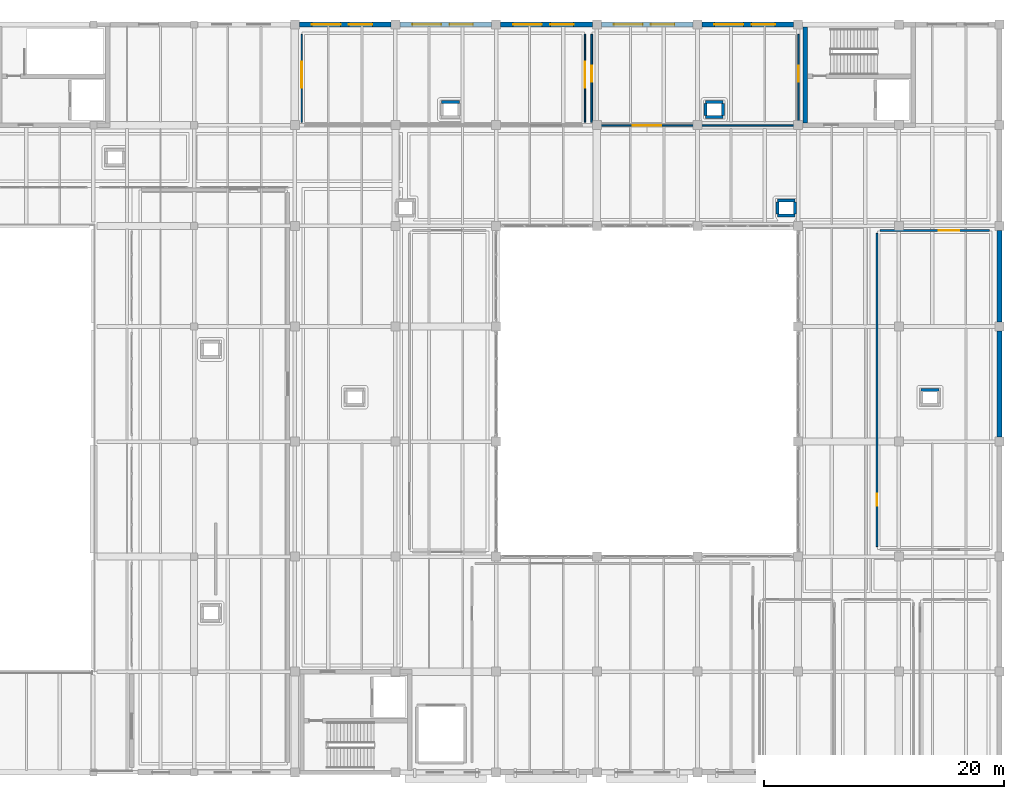
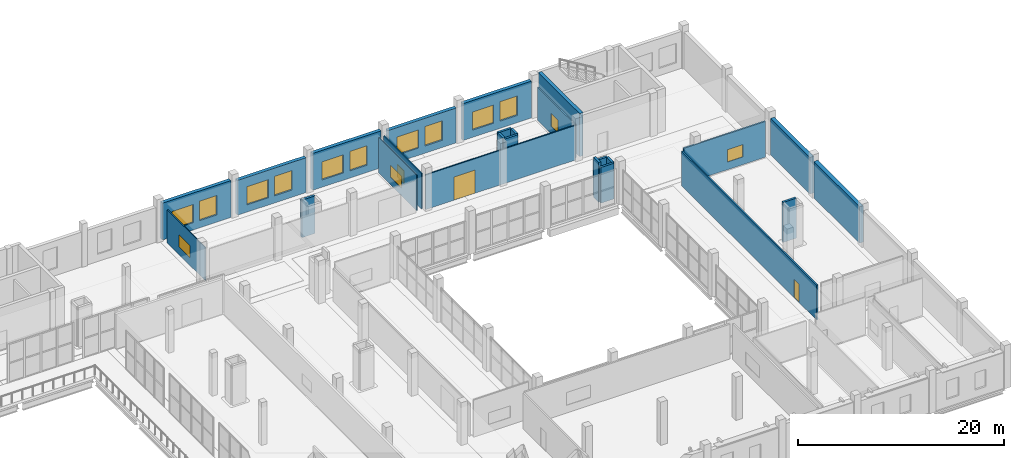
# One storey, part 64 of 77: 25 walls, 15 windows, 2 doors, 17 openings.
"""IFC4 building model written with IfcOpenShell, lengths in metres."""

from ifc_helpers import new_model, si_unit, direction, frame, frame_2d, origin, place, context, subcontext, project, spatial, rectangle, extrude, material, layer, layer_set, type_object, element, fill, save


model = new_model("IFC4")

# Units and contexts
model_context = context("Model", 3, precision=1e-05, world=origin(), true_north=direction((0.0, 1.0)))
body_context = subcontext(model_context, "Body", "Model", "MODEL_VIEW")
ifc_project = project(units=[si_unit("LENGTHUNIT", "METRE"), si_unit("AREAUNIT", "SQUARE_METRE"), si_unit("VOLUMEUNIT", "CUBIC_METRE"), si_unit("PLANEANGLEUNIT", "RADIAN"), si_unit("MASSUNIT", "GRAM", prefix="KILO")], contexts=[model_context])

# Site, building, storey
site_placement = place(None, origin())
site = spatial("IfcSite", under=ifc_project, at=site_placement, CompositionType="ELEMENT")
building_placement = place(site_placement, origin())
building = spatial("IfcBuilding", under=site, at=building_placement, Name="Zulmaris Art Gallery", CompositionType="ELEMENT")
storey_placement = place(building_placement, frame((0.0, 0.0, 15.60009765625)))
storey = spatial("IfcBuildingStorey", under=building, at=storey_placement, Name="L03", CompositionType="ELEMENT", Elevation=15.60009765625)

# Walls
ifc_material_1 = material(Name="Omani Cream Limestone Ashlar Masonry", Category="masonry")
ifc_layer_1 = layer(ifc_material_1, 0.43994140625)
ifc_layer_set_1 = layer_set([ifc_layer_1], Name="Omani Cream Limestone Ashlar Masonry")
wall_type_1 = type_object("IfcWallType", Name="ENV-WALL-EW01", PredefinedType="SOLIDWALL", material=ifc_layer_set_1)
wall_1_placement = place(storey_placement, frame((200.39990234375, 41.177001953125, 0.0), z_axis=(0.0, 0.0, 1.0), x_axis=(0.0, 1.0, 0.0)))
element("IfcWall", 1, at=wall_1_placement, inside=storey, type_object=wall_type_1, Name="L03 V5 East Infill Party Wall", PredefinedType="SOLIDWALL", context=body_context, shape_type="SweptSolid", body=[
    extrude(rectangle(XDim=8.845947265625, YDim=0.43994140625, at=frame_2d((4.4228515625, 0.0))), origin(), (0.0, 0.0, 1.0), 4.309814453125),
])
wall_2_placement = place(storey_placement, frame((200.39990234375, 50.777099609375, 0.0), z_axis=(0.0, 0.0, 1.0), x_axis=(0.0, 1.0, 0.0)))
element("IfcWall", 2, at=wall_2_placement, inside=storey, type_object=wall_type_1, Name="L03 V5 East Infill Party Wall", PredefinedType="SOLIDWALL", context=body_context, shape_type="SweptSolid", body=[
    extrude(rectangle(XDim=7.64599609375, YDim=0.43994140625, at=frame_2d((3.822998046875, 0.0))), origin(), (0.0, 0.0, 1.0), 4.309814453125),
])

# Wall, openings, windows
ifc_material_2 = material(Name="Omani Desert Rose Limestone Cladding Wall", Category="masonry")
ifc_layer_2 = layer(ifc_material_2, 0.389892578125)
ifc_layer_set_2 = layer_set([ifc_layer_2], Name="Omani Desert Rose Limestone Cladding Wall")
wall_type_2 = type_object("IfcWallType", Name="ENV-WALL-EW02", PredefinedType="SOLIDWALL", material=ifc_layer_set_2)
wall_3_placement = place(storey_placement, frame((141.97705078125, 75.60009765625, 0.0), z_axis=(0.0, 0.0, 1.0), x_axis=(1.0, 0.0, 0.0)))
wall_3 = element("IfcWall", 3, at=wall_3_placement, inside=storey, type_object=wall_type_2, Name="L03 V5 North Studio Daylight Facade Bay 1", PredefinedType="SOLIDWALL", context=body_context, shape_type="SweptSolid", body=[
    extrude(rectangle(XDim=7.64599609375, YDim=0.389892578125, at=frame_2d((3.822998046875, 0.0))), origin(), (0.0, 0.0, 1.0), 4.35986328125),
])
opening_1_placement = place(wall_3_placement, frame((1.04296875, 0.0, 0.85009765625)))
opening_1 = element("IfcOpeningElement", 4, at=opening_1_placement, cuts=wall_3, Name="Opening W05", PredefinedType="OPENING", context=body_context, shape_type="SweptSolid", body=[
    extrude(rectangle(XDim=2.39990234375, YDim=2.14990234375, at=frame_2d((1.199951171875, 1.074951171875))), frame((0.0, 0.204833984375, 0.0), z_axis=(0.0, -1.0, 0.0), x_axis=(1.0, 0.0, 0.0)), (0.0, 0.0, 1.0), 0.409912109375),
])
opening_2_placement = place(wall_3_placement, frame((4.14306640625, 0.0, 0.85009765625)))
opening_2 = element("IfcOpeningElement", 5, at=opening_2_placement, cuts=wall_3, Name="Opening W08", PredefinedType="OPENING", context=body_context, shape_type="SweptSolid", body=[
    extrude(rectangle(XDim=1.949951171875, YDim=2.300048828125, at=frame_2d((0.97509765625, 1.14990234375))), frame((0.0, 0.204833984375, 0.0), z_axis=(0.0, -1.0, 0.0), x_axis=(1.0, 0.0, 0.0)), (0.0, 0.0, 1.0), 0.409912109375),
])
ifc_material_3 = material(Name="North-Facing Conservation Daylight Window", Category="glass")
window_type_1 = type_object("IfcWindowType", Name="WIN-W05", PartitioningType="SINGLE_PANEL", PredefinedType="WINDOW", material=ifc_material_3)
window_1_placement = place(opening_1_placement, origin())
window_1 = element("IfcWindow", 6, at=window_1_placement, inside=storey, type_object=window_type_1, Name="L03 exterior window W05", OverallHeight=2.14990234375, OverallWidth=2.39990234375, PartitioningType="SINGLE_PANEL", PredefinedType="WINDOW", context=body_context, shape_type="SweptSolid", body=[
    extrude(rectangle(XDim=2.39990234375, YDim=2.14990234375, at=frame_2d((1.199951171875, 1.074951171875))), frame((0.0, 0.030029296875, 0.0), z_axis=(0.0, -1.0, 0.0), x_axis=(1.0, 0.0, 0.0)), (0.0, 0.0, 1.0), 0.06005859375),
])
fill(opening_1, window_1)
ifc_material_4 = material(Name="Curatorial North Studio Window", Category="glass")
window_type_2 = type_object("IfcWindowType", Name="WIN-W08", PartitioningType="SINGLE_PANEL", PredefinedType="WINDOW", material=ifc_material_4)
window_2_placement = place(opening_2_placement, origin())
window_2 = element("IfcWindow", 7, at=window_2_placement, inside=storey, type_object=window_type_2, Name="L03 exterior window W08", OverallHeight=2.300048828125, OverallWidth=1.949951171875, PartitioningType="SINGLE_PANEL", PredefinedType="WINDOW", context=body_context, shape_type="SweptSolid", body=[
    extrude(rectangle(XDim=1.949951171875, YDim=2.300048828125, at=frame_2d((0.97509765625, 1.14990234375))), frame((0.0, 0.030029296875, 0.0), z_axis=(0.0, -1.0, 0.0), x_axis=(1.0, 0.0, 0.0)), (0.0, 0.0, 1.0), 0.06005859375),
])
fill(opening_2, window_2)

wall_4_placement = place(storey_placement, frame((150.376953125, 75.60009765625, 0.0), z_axis=(0.0, 0.0, 1.0), x_axis=(1.0, 0.0, 0.0)))
wall_4 = element("IfcWall", 8, at=wall_4_placement, inside=storey, type_object=wall_type_2, Name="L03 V5 North Studio Daylight Facade Bay 2", PredefinedType="SOLIDWALL", context=body_context, shape_type="SweptSolid", body=[
    extrude(rectangle(XDim=7.64599609375, YDim=0.389892578125, at=frame_2d((3.822998046875, 0.0))), origin(), (0.0, 0.0, 1.0), 4.10986328125),
])
opening_3_placement = place(wall_4_placement, frame((1.04296875, 0.0, 0.85009765625)))
opening_3 = element("IfcOpeningElement", 9, at=opening_3_placement, cuts=wall_4, Name="Opening W05", PredefinedType="OPENING", context=body_context, shape_type="SweptSolid", body=[
    extrude(rectangle(XDim=2.39990234375, YDim=2.14990234375, at=frame_2d((1.199951171875, 1.074951171875))), frame((0.0, 0.204833984375, 0.0), z_axis=(0.0, -1.0, 0.0), x_axis=(1.0, 0.0, 0.0)), (0.0, 0.0, 1.0), 0.409912109375),
])
opening_4_placement = place(wall_4_placement, frame((4.14306640625, 0.0, 0.85009765625)))
opening_4 = element("IfcOpeningElement", 10, at=opening_4_placement, cuts=wall_4, Name="Opening W08", PredefinedType="OPENING", context=body_context, shape_type="SweptSolid", body=[
    extrude(rectangle(XDim=1.949951171875, YDim=2.300048828125, at=frame_2d((0.97509765625, 1.14990234375))), frame((0.0, 0.204833984375, 0.0), z_axis=(0.0, -1.0, 0.0), x_axis=(1.0, 0.0, 0.0)), (0.0, 0.0, 1.0), 0.409912109375),
])
window_3_placement = place(opening_3_placement, origin())
window_3 = element("IfcWindow", 11, at=window_3_placement, inside=storey, type_object=window_type_1, Name="L03 exterior window W05", OverallHeight=2.14990234375, OverallWidth=2.39990234375, PartitioningType="SINGLE_PANEL", PredefinedType="WINDOW", context=body_context, shape_type="SweptSolid", body=[
    extrude(rectangle(XDim=2.39990234375, YDim=2.14990234375, at=frame_2d((1.199951171875, 1.074951171875))), frame((0.0, 0.030029296875, 0.0), z_axis=(0.0, -1.0, 0.0), x_axis=(1.0, 0.0, 0.0)), (0.0, 0.0, 1.0), 0.06005859375),
])
fill(opening_3, window_3)
window_4_placement = place(opening_4_placement, origin())
window_4 = element("IfcWindow", 12, at=window_4_placement, inside=storey, type_object=window_type_2, Name="L03 exterior window W08", OverallHeight=2.300048828125, OverallWidth=1.949951171875, PartitioningType="SINGLE_PANEL", PredefinedType="WINDOW", context=body_context, shape_type="SweptSolid", body=[
    extrude(rectangle(XDim=1.949951171875, YDim=2.300048828125, at=frame_2d((0.97509765625, 1.14990234375))), frame((0.0, 0.030029296875, 0.0), z_axis=(0.0, -1.0, 0.0), x_axis=(1.0, 0.0, 0.0)), (0.0, 0.0, 1.0), 0.06005859375),
])
fill(opening_4, window_4)

wall_5_placement = place(storey_placement, frame((158.777099609375, 75.60009765625, 0.0), z_axis=(0.0, 0.0, 1.0), x_axis=(1.0, 0.0, 0.0)))
wall_5 = element("IfcWall", 13, at=wall_5_placement, inside=storey, type_object=wall_type_2, Name="L03 V5 North Studio Daylight Facade Bay 3", PredefinedType="SOLIDWALL", context=body_context, shape_type="SweptSolid", body=[
    extrude(rectangle(XDim=7.64599609375, YDim=0.389892578125, at=frame_2d((3.822998046875, 0.0))), origin(), (0.0, 0.0, 1.0), 4.35986328125),
])
opening_5_placement = place(wall_5_placement, frame((1.04296875, 0.0, 0.85009765625)))
opening_5 = element("IfcOpeningElement", 14, at=opening_5_placement, cuts=wall_5, Name="Opening W05", PredefinedType="OPENING", context=body_context, shape_type="SweptSolid", body=[
    extrude(rectangle(XDim=2.39990234375, YDim=2.14990234375, at=frame_2d((1.199951171875, 1.074951171875))), frame((0.0, 0.204833984375, 0.0), z_axis=(0.0, -1.0, 0.0), x_axis=(1.0, 0.0, 0.0)), (0.0, 0.0, 1.0), 0.409912109375),
])
opening_6_placement = place(wall_5_placement, frame((4.14306640625, 0.0, 0.85009765625)))
opening_6 = element("IfcOpeningElement", 15, at=opening_6_placement, cuts=wall_5, Name="Opening W08", PredefinedType="OPENING", context=body_context, shape_type="SweptSolid", body=[
    extrude(rectangle(XDim=1.949951171875, YDim=2.300048828125, at=frame_2d((0.97509765625, 1.14990234375))), frame((0.0, 0.204833984375, 0.0), z_axis=(0.0, -1.0, 0.0), x_axis=(1.0, 0.0, 0.0)), (0.0, 0.0, 1.0), 0.409912109375),
])
window_5_placement = place(opening_5_placement, origin())
window_5 = element("IfcWindow", 16, at=window_5_placement, inside=storey, type_object=window_type_1, Name="L03 exterior window W05", OverallHeight=2.14990234375, OverallWidth=2.39990234375, PartitioningType="SINGLE_PANEL", PredefinedType="WINDOW", context=body_context, shape_type="SweptSolid", body=[
    extrude(rectangle(XDim=2.39990234375, YDim=2.14990234375, at=frame_2d((1.199951171875, 1.074951171875))), frame((0.0, 0.030029296875, 0.0), z_axis=(0.0, -1.0, 0.0), x_axis=(1.0, 0.0, 0.0)), (0.0, 0.0, 1.0), 0.06005859375),
])
fill(opening_5, window_5)
window_6_placement = place(opening_6_placement, origin())
window_6 = element("IfcWindow", 17, at=window_6_placement, inside=storey, type_object=window_type_2, Name="L03 exterior window W08", OverallHeight=2.300048828125, OverallWidth=1.949951171875, PartitioningType="SINGLE_PANEL", PredefinedType="WINDOW", context=body_context, shape_type="SweptSolid", body=[
    extrude(rectangle(XDim=1.949951171875, YDim=2.300048828125, at=frame_2d((0.97509765625, 1.14990234375))), frame((0.0, 0.030029296875, 0.0), z_axis=(0.0, -1.0, 0.0), x_axis=(1.0, 0.0, 0.0)), (0.0, 0.0, 1.0), 0.06005859375),
])
fill(opening_6, window_6)

wall_6_placement = place(storey_placement, frame((167.177001953125, 75.60009765625, 0.0), z_axis=(0.0, 0.0, 1.0), x_axis=(1.0, 0.0, 0.0)))
wall_6 = element("IfcWall", 18, at=wall_6_placement, inside=storey, type_object=wall_type_2, Name="L03 V5 North Studio Daylight Facade Bay 4", PredefinedType="SOLIDWALL", context=body_context, shape_type="SweptSolid", body=[
    extrude(rectangle(XDim=7.64599609375, YDim=0.389892578125, at=frame_2d((3.822998046875, 0.0))), origin(), (0.0, 0.0, 1.0), 4.10986328125),
])
opening_7_placement = place(wall_6_placement, frame((1.04296875, 0.0, 0.85009765625)))
opening_7 = element("IfcOpeningElement", 19, at=opening_7_placement, cuts=wall_6, Name="Opening W05", PredefinedType="OPENING", context=body_context, shape_type="SweptSolid", body=[
    extrude(rectangle(XDim=2.39990234375, YDim=2.14990234375, at=frame_2d((1.199951171875, 1.074951171875))), frame((0.0, 0.204833984375, 0.0), z_axis=(0.0, -1.0, 0.0), x_axis=(1.0, 0.0, 0.0)), (0.0, 0.0, 1.0), 0.409912109375),
])
opening_8_placement = place(wall_6_placement, frame((4.14306640625, 0.0, 0.85009765625)))
opening_8 = element("IfcOpeningElement", 20, at=opening_8_placement, cuts=wall_6, Name="Opening W08", PredefinedType="OPENING", context=body_context, shape_type="SweptSolid", body=[
    extrude(rectangle(XDim=1.949951171875, YDim=2.300048828125, at=frame_2d((0.97509765625, 1.14990234375))), frame((0.0, 0.204833984375, 0.0), z_axis=(0.0, -1.0, 0.0), x_axis=(1.0, 0.0, 0.0)), (0.0, 0.0, 1.0), 0.409912109375),
])
window_7_placement = place(opening_7_placement, origin())
window_7 = element("IfcWindow", 21, at=window_7_placement, inside=storey, type_object=window_type_1, Name="L03 exterior window W05", OverallHeight=2.14990234375, OverallWidth=2.39990234375, PartitioningType="SINGLE_PANEL", PredefinedType="WINDOW", context=body_context, shape_type="SweptSolid", body=[
    extrude(rectangle(XDim=2.39990234375, YDim=2.14990234375, at=frame_2d((1.199951171875, 1.074951171875))), frame((0.0, 0.030029296875, 0.0), z_axis=(0.0, -1.0, 0.0), x_axis=(1.0, 0.0, 0.0)), (0.0, 0.0, 1.0), 0.06005859375),
])
fill(opening_7, window_7)
window_8_placement = place(opening_8_placement, origin())
window_8 = element("IfcWindow", 22, at=window_8_placement, inside=storey, type_object=window_type_2, Name="L03 exterior window W08", OverallHeight=2.300048828125, OverallWidth=1.949951171875, PartitioningType="SINGLE_PANEL", PredefinedType="WINDOW", context=body_context, shape_type="SweptSolid", body=[
    extrude(rectangle(XDim=1.949951171875, YDim=2.300048828125, at=frame_2d((0.97509765625, 1.14990234375))), frame((0.0, 0.030029296875, 0.0), z_axis=(0.0, -1.0, 0.0), x_axis=(1.0, 0.0, 0.0)), (0.0, 0.0, 1.0), 0.06005859375),
])
fill(opening_8, window_8)

wall_7_placement = place(storey_placement, frame((175.576904296875, 75.60009765625, 0.0), z_axis=(0.0, 0.0, 1.0), x_axis=(1.0, 0.0, 0.0)))
wall_7 = element("IfcWall", 23, at=wall_7_placement, inside=storey, type_object=wall_type_2, Name="L03 V5 North Studio Daylight Facade Bay 5", PredefinedType="SOLIDWALL", context=body_context, shape_type="SweptSolid", body=[
    extrude(rectangle(XDim=7.64599609375, YDim=0.389892578125, at=frame_2d((3.822998046875, 0.0))), origin(), (0.0, 0.0, 1.0), 4.35986328125),
])
opening_9_placement = place(wall_7_placement, frame((1.04296875, 0.0, 0.85009765625)))
opening_9 = element("IfcOpeningElement", 24, at=opening_9_placement, cuts=wall_7, Name="Opening W05", PredefinedType="OPENING", context=body_context, shape_type="SweptSolid", body=[
    extrude(rectangle(XDim=2.39990234375, YDim=2.14990234375, at=frame_2d((1.199951171875, 1.074951171875))), frame((0.0, 0.204833984375, 0.0), z_axis=(0.0, -1.0, 0.0), x_axis=(1.0, 0.0, 0.0)), (0.0, 0.0, 1.0), 0.409912109375),
])
opening_10_placement = place(wall_7_placement, frame((4.14306640625, 0.0, 0.85009765625)))
opening_10 = element("IfcOpeningElement", 25, at=opening_10_placement, cuts=wall_7, Name="Opening W08", PredefinedType="OPENING", context=body_context, shape_type="SweptSolid", body=[
    extrude(rectangle(XDim=1.949951171875, YDim=2.300048828125, at=frame_2d((0.97509765625, 1.14990234375))), frame((0.0, 0.204833984375, 0.0), z_axis=(0.0, -1.0, 0.0), x_axis=(1.0, 0.0, 0.0)), (0.0, 0.0, 1.0), 0.409912109375),
])
window_9_placement = place(opening_9_placement, origin())
window_9 = element("IfcWindow", 26, at=window_9_placement, inside=storey, type_object=window_type_1, Name="L03 exterior window W05", OverallHeight=2.14990234375, OverallWidth=2.39990234375, PartitioningType="SINGLE_PANEL", PredefinedType="WINDOW", context=body_context, shape_type="SweptSolid", body=[
    extrude(rectangle(XDim=2.39990234375, YDim=2.14990234375, at=frame_2d((1.199951171875, 1.074951171875))), frame((0.0, 0.030029296875, 0.0), z_axis=(0.0, -1.0, 0.0), x_axis=(1.0, 0.0, 0.0)), (0.0, 0.0, 1.0), 0.06005859375),
])
fill(opening_9, window_9)
window_10_placement = place(opening_10_placement, origin())
window_10 = element("IfcWindow", 27, at=window_10_placement, inside=storey, type_object=window_type_2, Name="L03 exterior window W08", OverallHeight=2.300048828125, OverallWidth=1.949951171875, PartitioningType="SINGLE_PANEL", PredefinedType="WINDOW", context=body_context, shape_type="SweptSolid", body=[
    extrude(rectangle(XDim=1.949951171875, YDim=2.300048828125, at=frame_2d((0.97509765625, 1.14990234375))), frame((0.0, 0.030029296875, 0.0), z_axis=(0.0, -1.0, 0.0), x_axis=(1.0, 0.0, 0.0)), (0.0, 0.0, 1.0), 0.06005859375),
])
fill(opening_10, window_10)

# Wall, opening, window
ifc_material_5 = material(Name="Acoustic Office Gypsum Partition", Category="gypsum")
ifc_layer_3 = layer(ifc_material_5, 0.10009765625)
ifc_layer_set_3 = layer_set([ifc_layer_3], Name="Acoustic Office Gypsum Partition")
wall_type_3 = type_object("IfcWallType", Name="IWALL-PW01", PredefinedType="PARTITIONING", material=ifc_layer_set_3)
wall_8_placement = place(storey_placement, frame((142.179931640625, 67.429931640625, 0.0), z_axis=(0.0, 0.0, 1.0), x_axis=(0.0, 1.0, 0.0)))
wall_8 = element("IfcWall", 28, at=wall_8_placement, inside=storey, type_object=wall_type_3, Name="Paper & Textile Conservation Studio W partition", PredefinedType="PARTITIONING", context=body_context, shape_type="SweptSolid", body=[
    extrude(rectangle(XDim=7.340087890625, YDim=0.10009765625, at=frame_2d((3.669921875, 0.0))), origin(), (0.0, 0.0, 1.0), 3.909912109375),
])
opening_11_placement = place(wall_8_placement, frame((2.89990234375, 0.0, 0.89990234375)))
opening_11 = element("IfcOpeningElement", 29, at=opening_11_placement, cuts=wall_8, Name="Opening IW03", PredefinedType="OPENING", context=body_context, shape_type="SweptSolid", body=[
    extrude(rectangle(XDim=2.159912109375, YDim=1.419921875, at=frame_2d((1.080078125, 0.7099609375))), frame((0.0, 0.06005859375, 0.0), z_axis=(0.0, -1.0, 0.0), x_axis=(1.0, 0.0, 0.0)), (0.0, 0.0, 1.0), 0.1201171875),
])
ifc_material_6 = material(Name="Analytical Lab Observation Window", Category="glass")
window_type_3 = type_object("IfcWindowType", Name="IWIN-IW03", PartitioningType="SINGLE_PANEL", PredefinedType="WINDOW", material=ifc_material_6)
window_11_placement = place(opening_11_placement, origin())
window_11 = element("IfcWindow", 30, at=window_11_placement, inside=storey, type_object=window_type_3, Name="L03 interior observation window IW03", OverallHeight=1.419921875, OverallWidth=2.159912109375, PartitioningType="SINGLE_PANEL", PredefinedType="WINDOW", context=body_context, shape_type="SweptSolid", body=[
    extrude(rectangle(XDim=2.159912109375, YDim=1.419921875, at=frame_2d((1.080078125, 0.7099609375))), frame((0.0, 0.030029296875, 0.0), z_axis=(0.0, -1.0, 0.0), x_axis=(1.0, 0.0, 0.0)), (0.0, 0.0, 1.0), 0.06005859375),
])
fill(opening_11, window_11)

wall_9_placement = place(storey_placement, frame((165.820068359375, 67.429931640625, 0.0), z_axis=(0.0, 0.0, 1.0), x_axis=(0.0, 1.0, 0.0)))
wall_9 = element("IfcWall", 31, at=wall_9_placement, inside=storey, type_object=wall_type_3, Name="Paper & Textile Conservation Studio E partition", PredefinedType="PARTITIONING", context=body_context, shape_type="SweptSolid", body=[
    extrude(rectangle(XDim=7.340087890625, YDim=0.10009765625, at=frame_2d((3.669921875, 0.0))), origin(), (0.0, 0.0, 1.0), 4.18994140625),
])
opening_12_placement = place(wall_9_placement, frame((2.89990234375, 0.0, 0.89990234375)))
opening_12 = element("IfcOpeningElement", 32, at=opening_12_placement, cuts=wall_9, Name="Opening IW03", PredefinedType="OPENING", context=body_context, shape_type="SweptSolid", body=[
    extrude(rectangle(XDim=2.159912109375, YDim=1.419921875, at=frame_2d((1.080078125, 0.7099609375))), frame((0.0, 0.06005859375, 0.0), z_axis=(0.0, -1.0, 0.0), x_axis=(1.0, 0.0, 0.0)), (0.0, 0.0, 1.0), 0.1201171875),
])
window_12_placement = place(opening_12_placement, origin())
window_12 = element("IfcWindow", 33, at=window_12_placement, inside=storey, type_object=window_type_3, Name="L03 interior observation window IW03", OverallHeight=1.419921875, OverallWidth=2.159912109375, PartitioningType="SINGLE_PANEL", PredefinedType="WINDOW", context=body_context, shape_type="SweptSolid", body=[
    extrude(rectangle(XDim=2.159912109375, YDim=1.419921875, at=frame_2d((1.080078125, 0.7099609375))), frame((0.0, 0.030029296875, 0.0), z_axis=(0.0, -1.0, 0.0), x_axis=(1.0, 0.0, 0.0)), (0.0, 0.0, 1.0), 0.06005859375),
])
fill(opening_12, window_12)

# Wall, opening, door
ifc_material_7 = material(Name="Light Gallery Backing Partition", Category="gypsum")
ifc_layer_4 = layer(ifc_material_7, 0.1298828125)
ifc_layer_set_4 = layer_set([ifc_layer_4], Name="Light Gallery Backing Partition")
wall_type_4 = type_object("IfcWallType", Name="IWALL-PW03", PredefinedType="PARTITIONING", material=ifc_layer_set_4)
wall_10_placement = place(storey_placement, frame((166.6298828125, 67.179931640625, 0.0), z_axis=(0.0, 0.0, 1.0), x_axis=(1.0, 0.0, 0.0)))
wall_10 = element("IfcWall", 34, at=wall_10_placement, inside=storey, type_object=wall_type_4, Name="Analytical XRF & Microscopy Conservation Lab S partition", PredefinedType="PARTITIONING", context=body_context, shape_type="SweptSolid", body=[
    extrude(rectangle(XDim=16.740234375, YDim=0.1298828125, at=frame_2d((8.3701171875, 0.0))), origin(), (0.0, 0.0, 1.0), 4.10986328125),
])
opening_13_placement = place(wall_10_placement, frame((3.14990234375, 0.0, 0.0)))
opening_13 = element("IfcOpeningElement", 35, at=opening_13_placement, cuts=wall_10, Name="Opening VG01", PredefinedType="OPENING", context=body_context, shape_type="SweptSolid", body=[
    extrude(rectangle(XDim=2.3798828125, YDim=2.739990234375, at=frame_2d((1.18994140625, 1.3701171875))), frame((0.0, 0.074951171875, 0.0), z_axis=(0.0, -1.0, 0.0), x_axis=(1.0, 0.0, 0.0)), (0.0, 0.0, 1.0), 0.14990234375),
])
ifc_material_8 = material(Name="Climate Art Vault Vapor-Sealed Gate A", Category="steel")
door_type_1 = type_object("IfcDoorType", Name="IDOOR-VG01", OperationType="DOUBLE_SWING_LEFT", PredefinedType="GATE", material=ifc_material_8)
door_1_placement = place(opening_13_placement, origin())
door_1 = element("IfcDoor", 36, at=door_1_placement, inside=storey, type_object=door_type_1, Name="Analytical XRF & Microscopy Conservation Lab Door", OperationType="DOUBLE_SWING_LEFT", OverallHeight=2.739990234375, OverallWidth=2.3798828125, PredefinedType="GATE", context=body_context, shape_type="SweptSolid", body=[
    extrude(rectangle(XDim=2.3798828125, YDim=2.739990234375, at=frame_2d((1.18994140625, 1.3701171875))), frame((0.0, 0.02490234375, 0.0), z_axis=(0.0, -1.0, 0.0), x_axis=(1.0, 0.0, 0.0)), (0.0, 0.0, 1.0), 0.050048828125),
])
fill(opening_13, door_1)

# Wall, opening, window
wall_11_placement = place(storey_placement, frame((166.3798828125, 67.429931640625, 0.0), z_axis=(0.0, 0.0, 1.0), x_axis=(0.0, 1.0, 0.0)))
wall_11 = element("IfcWall", 37, at=wall_11_placement, inside=storey, type_object=wall_type_4, Name="Analytical XRF & Microscopy Conservation Lab W partition", PredefinedType="PARTITIONING", context=body_context, shape_type="SweptSolid", body=[
    extrude(rectangle(XDim=7.340087890625, YDim=0.1298828125, at=frame_2d((3.669921875, 0.0))), origin(), (0.0, 0.0, 1.0), 4.18994140625),
])
opening_14_placement = place(wall_11_placement, frame((3.39990234375, 0.0, 0.89990234375)))
opening_14 = element("IfcOpeningElement", 38, at=opening_14_placement, cuts=wall_11, Name="Opening IW04", PredefinedType="OPENING", context=body_context, shape_type="SweptSolid", body=[
    extrude(rectangle(XDim=1.320068359375, YDim=1.5, at=frame_2d((0.66015625, 0.75))), frame((0.0, 0.074951171875, 0.0), z_axis=(0.0, -1.0, 0.0), x_axis=(1.0, 0.0, 0.0)), (0.0, 0.0, 1.0), 0.14990234375),
])
ifc_material_9 = material(Name="Curatorial Study Vitrine Window", Category="glass")
window_type_4 = type_object("IfcWindowType", Name="IWIN-IW04", PartitioningType="SINGLE_PANEL", PredefinedType="WINDOW", material=ifc_material_9)
window_13_placement = place(opening_14_placement, origin())
window_13 = element("IfcWindow", 39, at=window_13_placement, inside=storey, type_object=window_type_4, Name="L03 interior observation window IW04", OverallHeight=1.5, OverallWidth=1.320068359375, PartitioningType="SINGLE_PANEL", PredefinedType="WINDOW", context=body_context, shape_type="SweptSolid", body=[
    extrude(rectangle(XDim=1.320068359375, YDim=1.5, at=frame_2d((0.66015625, 0.75))), frame((0.0, 0.030029296875, 0.0), z_axis=(0.0, -1.0, 0.0), x_axis=(1.0, 0.0, 0.0)), (0.0, 0.0, 1.0), 0.06005859375),
])
fill(opening_14, window_13)

wall_12_placement = place(storey_placement, frame((183.6201171875, 67.429931640625, 0.0), z_axis=(0.0, 0.0, 1.0), x_axis=(0.0, 1.0, 0.0)))
wall_12 = element("IfcWall", 40, at=wall_12_placement, inside=storey, type_object=wall_type_4, Name="Analytical XRF & Microscopy Conservation Lab E partition", PredefinedType="PARTITIONING", context=body_context, shape_type="SweptSolid", body=[
    extrude(rectangle(XDim=7.340087890625, YDim=0.1298828125, at=frame_2d((3.669921875, 0.0))), origin(), (0.0, 0.0, 1.0), 3.909912109375),
])
opening_15_placement = place(wall_12_placement, frame((3.39990234375, 0.0, 0.89990234375)))
opening_15 = element("IfcOpeningElement", 41, at=opening_15_placement, cuts=wall_12, Name="Opening IW04", PredefinedType="OPENING", context=body_context, shape_type="SweptSolid", body=[
    extrude(rectangle(XDim=1.320068359375, YDim=1.5, at=frame_2d((0.66015625, 0.75))), frame((0.0, 0.074951171875, 0.0), z_axis=(0.0, -1.0, 0.0), x_axis=(1.0, 0.0, 0.0)), (0.0, 0.0, 1.0), 0.14990234375),
])
window_14_placement = place(opening_15_placement, origin())
window_14 = element("IfcWindow", 42, at=window_14_placement, inside=storey, type_object=window_type_4, Name="L03 interior observation window IW04", OverallHeight=1.5, OverallWidth=1.320068359375, PartitioningType="SINGLE_PANEL", PredefinedType="WINDOW", context=body_context, shape_type="SweptSolid", body=[
    extrude(rectangle(XDim=1.320068359375, YDim=1.5, at=frame_2d((0.66015625, 0.75))), frame((0.0, 0.030029296875, 0.0), z_axis=(0.0, -1.0, 0.0), x_axis=(1.0, 0.0, 0.0)), (0.0, 0.0, 1.0), 0.06005859375),
])
fill(opening_15, window_14)

# Wall, opening, door
ifc_material_10 = material(Name="Timber-Backed Heavy Artwork Display Partition", Category="wood")
ifc_layer_5 = layer(ifc_material_10, 0.159912109375)
ifc_layer_set_5 = layer_set([ifc_layer_5], Name="Timber-Backed Heavy Artwork Display Partition")
wall_type_5 = type_object("IfcWallType", Name="IWALL-PW05", PredefinedType="PARTITIONING", material=ifc_layer_set_5)
wall_13_placement = place(storey_placement, frame((190.179931640625, 32.030029296875, 0.0), z_axis=(0.0, 0.0, 1.0), x_axis=(0.0, 1.0, 0.0)))
wall_13 = element("IfcWall", 43, at=wall_13_placement, inside=storey, type_object=wall_type_5, Name="Museum Administration & Boardroom W partition", PredefinedType="PARTITIONING", context=body_context, shape_type="SweptSolid", body=[
    extrude(rectangle(XDim=26.139892578125, YDim=0.159912109375, at=frame_2d((13.06982421875, 0.0))), origin(), (0.0, 0.0, 1.0), 4.10986328125),
])
opening_16_placement = place(wall_13_placement, frame((3.39990234375, 0.0, 0.0)))
opening_16 = element("IfcOpeningElement", 44, at=opening_16_placement, cuts=wall_13, Name="Opening D04", PredefinedType="OPENING", context=body_context, shape_type="SweptSolid", body=[
    extrude(rectangle(XDim=1.0, YDim=2.159912109375, at=frame_2d((0.5, 1.080078125))), frame((0.0, 0.08984375, 0.0), z_axis=(0.0, -1.0, 0.0), x_axis=(1.0, 0.0, 0.0)), (0.0, 0.0, 1.0), 0.179931640625),
])
ifc_material_11 = material(Name="Curatorial Office Acoustic Timber Door", Category="wood")
door_type_2 = type_object("IfcDoorType", Name="IDOOR-D04", OperationType="NOTDEFINED", PredefinedType="DOOR", material=ifc_material_11)
door_2_placement = place(opening_16_placement, origin())
door_2 = element("IfcDoor", 45, at=door_2_placement, inside=storey, type_object=door_type_2, Name="Museum Administration & Boardroom Door", OperationType="SINGLE_SWING_LEFT", OverallHeight=2.159912109375, OverallWidth=1.0, PredefinedType="DOOR", context=body_context, shape_type="SweptSolid", body=[
    extrude(rectangle(XDim=1.0, YDim=2.159912109375, at=frame_2d((0.5, 1.080078125))), frame((0.0, 0.02490234375, 0.0), z_axis=(0.0, -1.0, 0.0), x_axis=(1.0, 0.0, 0.0)), (0.0, 0.0, 1.0), 0.050048828125),
])
fill(opening_16, door_2)

# Wall, opening, window
wall_14_placement = place(storey_placement, frame((190.429931640625, 58.419921875, 0.0), z_axis=(0.0, 0.0, 1.0), x_axis=(1.0, 0.0, 0.0)))
wall_14 = element("IfcWall", 46, at=wall_14_placement, inside=storey, type_object=wall_type_5, Name="Museum Administration & Boardroom N partition", PredefinedType="PARTITIONING", context=body_context, shape_type="SweptSolid", body=[
    extrude(rectangle(XDim=9.14013671875, YDim=0.159912109375, at=frame_2d((4.570068359375, 0.0))), origin(), (0.0, 0.0, 1.0), 4.219970703125),
])
opening_17_placement = place(wall_14_placement, frame((4.89990234375, 0.0, 0.89990234375)))
opening_17 = element("IfcOpeningElement", 47, at=opening_17_placement, cuts=wall_14, Name="Opening IW06", PredefinedType="OPENING", context=body_context, shape_type="SweptSolid", body=[
    extrude(rectangle(XDim=1.719970703125, YDim=1.4599609375, at=frame_2d((0.85986328125, 0.72998046875))), frame((0.0, 0.08984375, 0.0), z_axis=(0.0, -1.0, 0.0), x_axis=(1.0, 0.0, 0.0)), (0.0, 0.0, 1.0), 0.179931640625),
])
ifc_material_12 = material(Name="Library Reading Room Internal Glazing", Category="glass")
window_type_5 = type_object("IfcWindowType", Name="IWIN-IW06", PartitioningType="SINGLE_PANEL", PredefinedType="WINDOW", material=ifc_material_12)
window_15_placement = place(opening_17_placement, origin())
window_15 = element("IfcWindow", 48, at=window_15_placement, inside=storey, type_object=window_type_5, Name="L03 interior observation window IW06", OverallHeight=1.4599609375, OverallWidth=1.719970703125, PartitioningType="SINGLE_PANEL", PredefinedType="WINDOW", context=body_context, shape_type="SweptSolid", body=[
    extrude(rectangle(XDim=1.719970703125, YDim=1.4599609375, at=frame_2d((0.85986328125, 0.72998046875))), frame((0.0, 0.030029296875, 0.0), z_axis=(0.0, -1.0, 0.0), x_axis=(1.0, 0.0, 0.0)), (0.0, 0.0, 1.0), 0.06005859375),
])
fill(opening_17, window_15)

# Walls
ifc_material_13 = material(Name="MEP Riser & Smoke Shaft Enclosure Wall", Category="masonry")
ifc_layer_6 = layer(ifc_material_13, 0.2548828125)
ifc_layer_set_6 = layer_set([ifc_layer_6], Name="MEP Riser & Smoke Shaft Enclosure Wall")
wall_type_6 = type_object("IfcWallType", Name="IWALL-PW11", PredefinedType="PARTITIONING", material=ifc_layer_set_6)
for number, where, z_axis, x_axis, name in (
    (49, (181.860107421875, 60.919921875, 0.0), (0.0, 0.0, 1.0), (1.0, 0.0, 0.0), "L03 MEP Riser 14 N wall"),
    (50, (181.860107421875, 59.679931640625, 0.0), (0.0, 0.0, 1.0), (1.0, 0.0, 0.0), "L03 MEP Riser 14 S wall"),
):
    element("IfcWall", number, at=place(storey_placement, frame(where, z_axis=z_axis, x_axis=x_axis)), inside=storey, type_object=wall_type_6, Name=name, PredefinedType="PARTITIONING", context=body_context, shape_type="SweptSolid", body=[
        extrude(rectangle(XDim=1.47998046875, YDim=0.2548828125, at=frame_2d((0.739990234375, 0.0))), origin(), (0.0, 0.0, 1.0), 4.219970703125),
    ])
wall_15_placement = place(storey_placement, frame((181.8798828125, 59.800048828125, 0.0), z_axis=(0.0, 0.0, 1.0), x_axis=(0.0, 1.0, 0.0)))
element("IfcWall", 51, at=wall_15_placement, inside=storey, type_object=wall_type_6, Name="L03 MEP Riser 14 W wall", PredefinedType="PARTITIONING", context=body_context, shape_type="SweptSolid", body=[
    extrude(rectangle(XDim=1.0, YDim=0.2548828125, at=frame_2d((0.5, 0.0))), origin(), (0.0, 0.0, 1.0), 4.719970703125),
])
wall_16_placement = place(storey_placement, frame((183.320068359375, 59.800048828125, 0.0), z_axis=(0.0, 0.0, 1.0), x_axis=(0.0, 1.0, 0.0)))
element("IfcWall", 52, at=wall_16_placement, inside=storey, type_object=wall_type_6, Name="L03 MEP Riser 14 E wall", PredefinedType="PARTITIONING", context=body_context, shape_type="SweptSolid", body=[
    extrude(rectangle(XDim=1.0, YDim=0.2548828125, at=frame_2d((0.5, 0.0))), origin(), (0.0, 0.0, 1.0), 4.219970703125),
])
wall_17_placement = place(storey_placement, frame((153.860107421875, 69.1201171875, 0.0), z_axis=(0.0, 0.0, 1.0), x_axis=(1.0, 0.0, 0.0)))
element("IfcWall", 53, at=wall_17_placement, inside=storey, type_object=wall_type_6, Name="L03 MEP Riser 15 N wall", PredefinedType="PARTITIONING", context=body_context, shape_type="SweptSolid", body=[
    extrude(rectangle(XDim=1.47998046875, YDim=0.2548828125, at=frame_2d((0.739990234375, 0.0))), origin(), (0.0, 0.0, 1.0), 4.43994140625),
])
for number, where, z_axis, x_axis, name in (
    (54, (175.860107421875, 69.1201171875, 0.0), (0.0, 0.0, 1.0), (1.0, 0.0, 0.0), "L03 MEP Riser 16 N wall"),
    (55, (175.860107421875, 67.8798828125, 0.0), (0.0, 0.0, 1.0), (1.0, 0.0, 0.0), "L03 MEP Riser 16 S wall"),
):
    element("IfcWall", number, at=place(storey_placement, frame(where, z_axis=z_axis, x_axis=x_axis)), inside=storey, type_object=wall_type_6, Name=name, PredefinedType="PARTITIONING", context=body_context, shape_type="SweptSolid", body=[
        extrude(rectangle(XDim=1.47998046875, YDim=0.2548828125, at=frame_2d((0.739990234375, 0.0))), origin(), (0.0, 0.0, 1.0), 4.719970703125),
    ])
for number, where, z_axis, x_axis, name in (
    (56, (175.8798828125, 68.0, 0.0), (0.0, 0.0, 1.0), (0.0, 1.0, 0.0), "L03 MEP Riser 16 W wall"),
    (57, (177.320068359375, 68.0, 0.0), (0.0, 0.0, 1.0), (0.0, 1.0, 0.0), "L03 MEP Riser 16 E wall"),
):
    element("IfcWall", number, at=place(storey_placement, frame(where, z_axis=z_axis, x_axis=x_axis)), inside=storey, type_object=wall_type_6, Name=name, PredefinedType="PARTITIONING", context=body_context, shape_type="SweptSolid", body=[
        extrude(rectangle(XDim=1.0, YDim=0.2548828125, at=frame_2d((0.5, 0.0))), origin(), (0.0, 0.0, 1.0), 4.719970703125),
    ])
wall_18_placement = place(storey_placement, frame((193.860107421875, 45.1201171875, 0.0), z_axis=(0.0, 0.0, 1.0), x_axis=(1.0, 0.0, 0.0)))
element("IfcWall", 58, at=wall_18_placement, inside=storey, type_object=wall_type_6, Name="L03 MEP Riser 18 N wall", PredefinedType="PARTITIONING", context=body_context, shape_type="SweptSolid", body=[
    extrude(rectangle(XDim=1.47998046875, YDim=0.2548828125, at=frame_2d((0.739990234375, 0.0))), origin(), (0.0, 0.0, 1.0), 4.719970703125),
])
ifc_material_14 = material(Name="Concrete C50/60", Category="concrete")
ifc_layer_7 = layer(ifc_material_14, 0.3798828125)
ifc_layer_set_7 = layer_set([ifc_layer_7], Name="Concrete C50/60")
wall_type_7 = type_object("IfcWallType", Name="STR-WALL-SW02", PredefinedType="SHEAR", material=ifc_layer_set_7)
wall_19_placement = place(storey_placement, frame((184.199951171875, 67.389892578125, 0.0), z_axis=(0.0, 0.0, 1.0), x_axis=(0.0, 1.0, 0.0)))
element("IfcWall", 59, at=wall_19_placement, inside=storey, type_object=wall_type_7, Name="Core C4 L03 W shear wall", PredefinedType="SHEAR", context=body_context, shape_type="SweptSolid", body=[
    extrude(rectangle(XDim=8.02001953125, YDim=0.3798828125, at=frame_2d((4.010009765625, 0.0))), origin(), (0.0, 0.0, 1.0), 5.099853515625),
])

save(model, "model.ifc")
